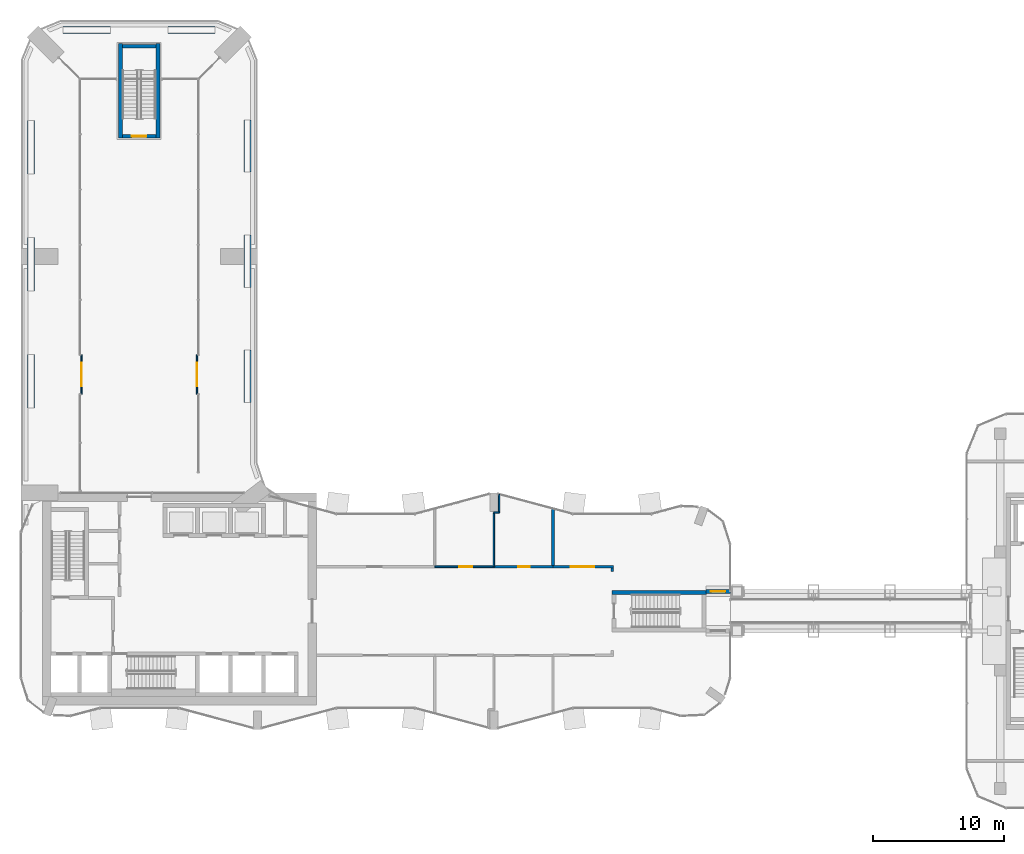
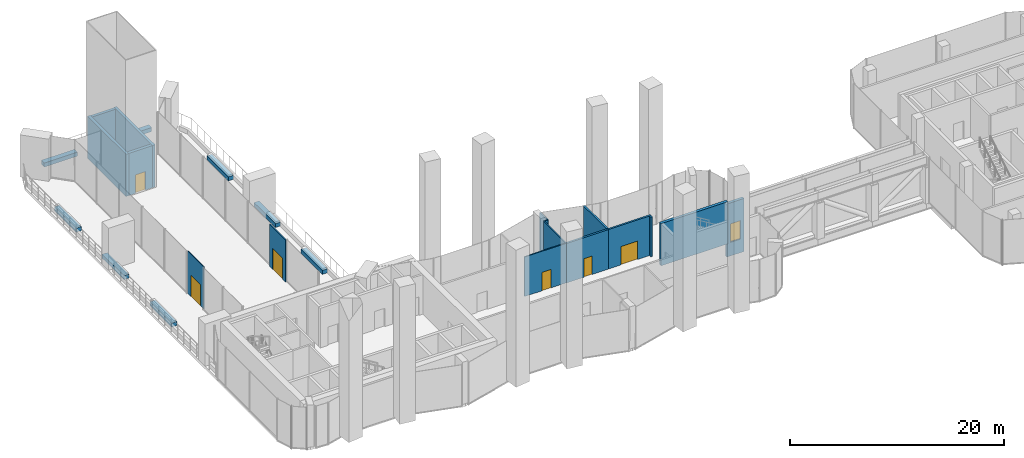
# One storey, part 17 of 23: 24 walls, 7 doors, 7 openings.
"""IFC4 building model written with IfcOpenShell, lengths in metres."""

from ifc_helpers import new_model, si_unit, direction, frame, frame_2d, origin, place, context, subcontext, project, spatial, rectangle, extrude, material, layer, layer_set, type_object, element, fill, save


model = new_model("IFC4")

# Units and contexts
model_context = context("Model", 3, precision=1e-05, world=origin(), true_north=direction((0.0, 1.0)))
body_context = subcontext(model_context, "Body", "Model", "MODEL_VIEW")
ifc_project = project(units=[si_unit("LENGTHUNIT", "METRE"), si_unit("AREAUNIT", "SQUARE_METRE"), si_unit("VOLUMEUNIT", "CUBIC_METRE"), si_unit("PLANEANGLEUNIT", "RADIAN"), si_unit("MASSUNIT", "GRAM", prefix="KILO")], contexts=[model_context])

# Site, building, storey
site_placement = place(None, origin())
site = spatial("IfcSite", under=ifc_project, at=site_placement, CompositionType="ELEMENT")
building_placement = place(site_placement, origin())
building = spatial("IfcBuilding", under=site, at=building_placement, Name="Plateau Cross Towers", CompositionType="ELEMENT")
storey_placement = place(building_placement, frame((0.0, 0.0, 123.800048828125)))
storey = spatial("IfcBuildingStorey", under=building, at=storey_placement, Name="L32", CompositionType="ELEMENT", Elevation=123.800048828125)

# Wall, opening, door
ifc_material_1 = material(Name="Concrete C60/75", Category="concrete")
ifc_layer_1 = layer(ifc_material_1, 0.300048828125)
ifc_layer_set_1 = layer_set([ifc_layer_1], Name="Concrete C60/75")
wall_type_1 = type_object("IfcWallType", Name="Bridge stub wall 300", PredefinedType="SHEAR", material=ifc_layer_set_1)
wall_1_placement = place(storey_placement, frame((52.14990234375, 10.5, -1.550048828125), z_axis=(0.0, 0.0, 1.0), x_axis=(1.0, 0.0, 0.0)))
wall_1 = element("IfcWall", 1, at=wall_1_placement, inside=storey, type_object=wall_type_1, Name="A-end-E-bridge-N@L32", PredefinedType="SHEAR", context=body_context, shape_type="SweptSolid", body=[
    extrude(rectangle(XDim=1.85009765625, YDim=0.300048828125, at=frame_2d((0.925048828125, 0.0))), origin(), (0.0, 0.0, 1.0), 6.050048828125),
])
opening_1_placement = place(wall_1_placement, frame((0.375, 0.0, 1.550048828125)))
opening_1 = element("IfcOpeningElement", 2, at=opening_1_placement, cuts=wall_1, Name="Opening 32-F2", PredefinedType="OPENING", context=body_context, shape_type="SweptSolid", body=[
    extrude(rectangle(XDim=1.10009765625, YDim=2.10009765625, at=frame_2d((0.550048828125, 1.050048828125))), frame((0.0, 0.159912109375, 0.0), z_axis=(0.0, -1.0, 0.0), x_axis=(1.0, 0.0, 0.0)), (0.0, 0.0, 1.0), 0.320068359375),
])
ifc_material_2 = material(Name="Steel, fire-resisting leaf", Category="steel")
door_type_1 = type_object("IfcDoorType", Name="Link lounge fire door 1100", OperationType="NOTDEFINED", PredefinedType="DOOR", material=ifc_material_2)
door_1_placement = place(opening_1_placement, origin())
door_1 = element("IfcDoor", 3, at=door_1_placement, inside=storey, type_object=door_type_1, Name="Door 32-F2", OperationType="SINGLE_SWING_LEFT", OverallHeight=2.10009765625, OverallWidth=1.10009765625, PredefinedType="DOOR", context=body_context, shape_type="SweptSolid", body=[
    extrude(rectangle(XDim=1.10009765625, YDim=2.10009765625, at=frame_2d((0.550048828125, 1.050048828125))), frame((0.0, 0.02490234375, 0.0), z_axis=(0.0, -1.0, 0.0), x_axis=(1.0, 0.0, 0.0)), (0.0, 0.0, 1.0), 0.050048828125),
])
fill(opening_1, door_1)

# Walls
ifc_material_3 = material(Name="Concrete C30/37", Category="concrete")
ifc_layer_2 = layer(ifc_material_3, 0.550048828125)
ifc_layer_set_2 = layer_set([ifc_layer_2], Name="Concrete C30/37")
wall_type_2 = type_object("IfcWallType", Name="Planter upstand 550", PredefinedType="STANDARD", material=ifc_layer_set_2)
wall_2_placement = place(storey_placement, frame((0.765380859375, 24.46142578125, 0.0), z_axis=(0.0, 0.0, 1.0), x_axis=(0.0, 1.0, 0.0)))
element("IfcWall", 4, at=wall_2_placement, inside=storey, type_object=wall_type_2, Name="Planter 1", PredefinedType="STANDARD", context=body_context, shape_type="SweptSolid", body=[
    extrude(rectangle(XDim=4.053955078125, YDim=0.550048828125, at=frame_2d((2.02685546875, 0.0))), origin(), (0.0, 0.0, 1.0), 0.449951171875),
])
for number, where, z_axis, x_axis, name in (
    (5, (0.76513671875, 33.36962890625, 0.0), (0.0, 0.0, 1.0), (0.0, 1.0, 0.0), "Planter 2"),
    (6, (0.76513671875, 42.27783203125, 0.0), (0.0, 0.0, 1.0), (0.0, 1.0, 0.0), "Planter 3"),
):
    element("IfcWall", number, at=place(storey_placement, frame(where, z_axis=z_axis, x_axis=x_axis)), inside=storey, type_object=wall_type_2, Name=name, PredefinedType="STANDARD", context=body_context, shape_type="SweptSolid", body=[
        extrude(rectangle(XDim=4.05419921875, YDim=0.550048828125, at=frame_2d((2.027099609375, 0.0))), origin(), (0.0, 0.0, 1.0), 0.449951171875),
    ])
for number, where, z_axis, x_axis, name in (
    (7, (3.2138671875, 53.235107421875, 0.0), (0.0, 0.0, 1.0), (1.0, 0.0, 0.0), "Planter 4"),
    (8, (11.1953125, 53.235107421875, 0.0), (0.0, 0.0, 1.0), (1.0, 0.0, 0.0), "Planter 5"),
):
    element("IfcWall", number, at=place(storey_placement, frame(where, z_axis=z_axis, x_axis=x_axis)), inside=storey, type_object=wall_type_2, Name=name, PredefinedType="STANDARD", context=body_context, shape_type="SweptSolid", body=[
        extrude(rectangle(XDim=3.5908203125, YDim=0.550048828125, at=frame_2d((1.79541015625, 0.0))), origin(), (0.0, 0.0, 1.0), 0.449951171875),
    ])
for number, where, z_axis, x_axis, name in (
    (9, (17.235107421875, 46.401123046875, 0.0), (0.0, 0.0, 1.0), (0.0, -1.0, 0.0), "Planter 6"),
    (10, (17.235107421875, 37.630859375, 0.0), (0.0, 0.0, 1.0), (0.0, -1.0, 0.0), "Planter 7"),
    (11, (17.235107421875, 28.86083984375, 0.0), (0.0, 0.0, 1.0), (0.0, -1.0, 0.0), "Planter 8"),
):
    element("IfcWall", number, at=place(storey_placement, frame(where, z_axis=z_axis, x_axis=x_axis)), inside=storey, type_object=wall_type_2, Name=name, PredefinedType="STANDARD", context=body_context, shape_type="SweptSolid", body=[
        extrude(rectangle(XDim=3.985107421875, YDim=0.550048828125, at=frame_2d((1.99267578125, 0.0))), origin(), (0.0, 0.0, 1.0), 0.449951171875),
    ])

# Wall, opening, door
ifc_material_4 = material(Name="Gypsum board on steel studs", Category="steel")
ifc_layer_3 = layer(ifc_material_4, 0.199951171875)
ifc_layer_set_3 = layer_set([ifc_layer_3], Name="Gypsum board on steel studs")
wall_type_3 = type_object("IfcWallType", Name="Podium partition 200", PredefinedType="PARTITIONING", material=ifc_layer_set_3)
wall_3_placement = place(storey_placement, frame((40.5, 12.375, 0.0), z_axis=(0.0, 0.0, 1.0), x_axis=(1.0, 0.0, 0.0)))
wall_3 = element("IfcWall", 12, at=wall_3_placement, inside=storey, type_object=wall_type_3, Name="Partition wall", PredefinedType="PARTITIONING", context=body_context, shape_type="SweptSolid", body=[
    extrude(rectangle(XDim=4.60009765625, YDim=0.199951171875, at=frame_2d((2.300048828125, 0.0))), origin(), (0.0, 0.0, 1.0), 4.5),
])
opening_2_placement = place(wall_3_placement, frame((1.35009765625, 0.0, 0.0)))
opening_2 = element("IfcOpeningElement", 13, at=opening_2_placement, cuts=wall_3, Name="Opening 32-07", PredefinedType="OPENING", context=body_context, shape_type="SweptSolid", body=[
    extrude(rectangle(XDim=1.800048828125, YDim=2.10009765625, at=frame_2d((0.89990234375, 1.050048828125))), frame((0.0, 0.10986328125, 0.0), z_axis=(0.0, -1.0, 0.0), x_axis=(1.0, 0.0, 0.0)), (0.0, 0.0, 1.0), 0.219970703125),
])
ifc_material_5 = material(Name="Aluminium frame, toughened glass", Category="aluminium")
door_type_2 = type_object("IfcDoorType", Name="Podium door pair 1800", OperationType="NOTDEFINED", PredefinedType="DOOR", material=ifc_material_5)
door_2_placement = place(opening_2_placement, origin())
door_2 = element("IfcDoor", 14, at=door_2_placement, inside=storey, type_object=door_type_2, Name="Door 32-07", OperationType="DOUBLE_DOOR_SINGLE_SWING", OverallHeight=2.10009765625, OverallWidth=1.800048828125, PredefinedType="DOOR", context=body_context, shape_type="SweptSolid", body=[
    extrude(rectangle(XDim=1.800048828125, YDim=2.10009765625, at=frame_2d((0.89990234375, 1.050048828125))), frame((0.0, 0.02490234375, 0.0), z_axis=(0.0, -1.0, 0.0), x_axis=(1.0, 0.0, 0.0)), (0.0, 0.0, 1.0), 0.050048828125),
])
fill(opening_2, door_2)

# Wall
wall_4_placement = place(storey_placement, frame((45.0, 12.27490234375, 0.0), z_axis=(0.0, 0.0, 1.0), x_axis=(0.0, -1.0, 0.0)))
element("IfcWall", 15, at=wall_4_placement, inside=storey, type_object=wall_type_3, Name="Partition wall", PredefinedType="PARTITIONING", context=body_context, shape_type="SweptSolid", body=[
    extrude(rectangle(XDim=0.27490234375, YDim=0.199951171875, at=frame_2d((0.137451171875, 0.0))), origin(), (0.0, 0.0, 1.0), 4.5),
])

# Wall, opening, door
wall_5_placement = place(storey_placement, frame((36.0, 12.375, 0.0), z_axis=(0.0, 0.0, 1.0), x_axis=(1.0, 0.0, 0.0)))
wall_5 = element("IfcWall", 16, at=wall_5_placement, inside=storey, type_object=wall_type_3, Name="Partition wall", PredefinedType="PARTITIONING", context=body_context, shape_type="SweptSolid", body=[
    extrude(rectangle(XDim=4.5, YDim=0.199951171875, at=frame_2d((2.25, 0.0))), origin(), (0.0, 0.0, 1.0), 4.5),
])
opening_3_placement = place(wall_5_placement, frame((1.85009765625, 0.0, 0.0)))
opening_3 = element("IfcOpeningElement", 17, at=opening_3_placement, cuts=wall_5, Name="Opening 32-05", PredefinedType="OPENING", context=body_context, shape_type="SweptSolid", body=[
    extrude(rectangle(XDim=0.89990234375, YDim=2.10009765625, at=frame_2d((0.449951171875, 1.050048828125))), frame((0.0, 0.10986328125, 0.0), z_axis=(0.0, -1.0, 0.0), x_axis=(1.0, 0.0, 0.0)), (0.0, 0.0, 1.0), 0.219970703125),
])
ifc_material_6 = material(Name="Timber leaf", Category="wood")
door_type_3 = type_object("IfcDoorType", Name="Podium room door 900", OperationType="NOTDEFINED", PredefinedType="DOOR", material=ifc_material_6)
door_3_placement = place(opening_3_placement, origin())
door_3 = element("IfcDoor", 18, at=door_3_placement, inside=storey, type_object=door_type_3, Name="Door 32-05", OperationType="SINGLE_SWING_LEFT", OverallHeight=2.10009765625, OverallWidth=0.89990234375, PredefinedType="DOOR", context=body_context, shape_type="SweptSolid", body=[
    extrude(rectangle(XDim=0.89990234375, YDim=2.10009765625, at=frame_2d((0.449951171875, 1.050048828125))), frame((0.0, 0.02490234375, 0.0), z_axis=(0.0, -1.0, 0.0), x_axis=(1.0, 0.0, 0.0)), (0.0, 0.0, 1.0), 0.050048828125),
])
fill(opening_3, door_3)

# Walls
wall_6_placement = place(storey_placement, frame((40.5, 16.794921875, 0.0), z_axis=(0.0, 0.0, 1.0), x_axis=(0.0, -1.0, 0.0)))
element("IfcWall", 19, at=wall_6_placement, inside=storey, type_object=wall_type_3, Name="Partition wall", PredefinedType="PARTITIONING", context=body_context, shape_type="SweptSolid", body=[
    extrude(rectangle(XDim=4.31982421875, YDim=0.199951171875, at=frame_2d((2.159912109375, 0.0))), origin(), (0.0, 0.0, 1.0), 4.5),
])
ifc_material_7 = material(Name="Moisture-resistant board on steel studs, tiled one side", Category="steel")
ifc_layer_4 = layer(ifc_material_7, 0.1201171875)
ifc_layer_set_4 = layer_set([ifc_layer_4], Name="Moisture-resistant board on steel studs, tiled one side")
wall_type_4 = type_object("IfcWallType", Name="Sanitary partition 120", PredefinedType="PARTITIONING", material=ifc_layer_set_4)
wall_7_placement = place(storey_placement, frame((36.39990234375, 17.89306640625, 0.0), z_axis=(0.0, 0.0, 1.0), x_axis=(0.0, -1.0, 0.0)))
element("IfcWall", 20, at=wall_7_placement, inside=storey, type_object=wall_type_4, Name="Partition wall", PredefinedType="PARTITIONING", context=body_context, shape_type="SweptSolid", body=[
    extrude(rectangle(XDim=1.39306640625, YDim=0.1201171875, at=frame_2d((0.696533203125, 0.0))), origin(), (0.0, 0.0, 1.0), 4.5),
])
wall_8_placement = place(storey_placement, frame((36.39990234375, 16.5, 0.0), z_axis=(0.0, 0.0, 1.0), x_axis=(-1.0, 0.0, 0.0)))
element("IfcWall", 21, at=wall_8_placement, inside=storey, type_object=wall_type_4, Name="Partition wall", PredefinedType="PARTITIONING", context=body_context, shape_type="SweptSolid", body=[
    extrude(rectangle(XDim=0.39990234375, YDim=0.1201171875, at=frame_2d((0.199951171875, 0.0))), origin(), (0.0, 0.0, 1.0), 4.5),
])
wall_9_placement = place(storey_placement, frame((36.0, 16.5, 0.0), z_axis=(0.0, 0.0, 1.0), x_axis=(0.0, -1.0, 0.0)))
element("IfcWall", 22, at=wall_9_placement, inside=storey, type_object=wall_type_4, Name="Partition wall", PredefinedType="PARTITIONING", context=body_context, shape_type="SweptSolid", body=[
    extrude(rectangle(XDim=4.125, YDim=0.1201171875, at=frame_2d((2.0625, 0.0))), origin(), (0.0, 0.0, 1.0), 4.5),
])

# Wall, opening, door
wall_10_placement = place(storey_placement, frame((31.5, 12.375, 0.0), z_axis=(0.0, 0.0, 1.0), x_axis=(1.0, 0.0, 0.0)))
wall_10 = element("IfcWall", 23, at=wall_10_placement, inside=storey, type_object=wall_type_4, Name="Partition wall", PredefinedType="PARTITIONING", context=body_context, shape_type="SweptSolid", body=[
    extrude(rectangle(XDim=4.5, YDim=0.1201171875, at=frame_2d((2.25, 0.0))), origin(), (0.0, 0.0, 1.0), 4.5),
])
opening_4_placement = place(wall_10_placement, frame((1.85009765625, 0.0, 0.0)))
opening_4 = element("IfcOpeningElement", 24, at=opening_4_placement, cuts=wall_10, Name="Opening 32-04", PredefinedType="OPENING", context=body_context, shape_type="SweptSolid", body=[
    extrude(rectangle(XDim=1.0, YDim=2.10009765625, at=frame_2d((0.5, 1.050048828125))), frame((0.0, 0.070068359375, 0.0), z_axis=(0.0, -1.0, 0.0), x_axis=(1.0, 0.0, 0.0)), (0.0, 0.0, 1.0), 0.14013671875),
])
door_type_4 = type_object("IfcDoorType", Name="Podium clinic door 1000", OperationType="NOTDEFINED", PredefinedType="DOOR", material=ifc_material_6)
door_4_placement = place(opening_4_placement, origin())
door_4 = element("IfcDoor", 25, at=door_4_placement, inside=storey, type_object=door_type_4, Name="Door 32-04", OperationType="SINGLE_SWING_LEFT", OverallHeight=2.10009765625, OverallWidth=1.0, PredefinedType="DOOR", context=body_context, shape_type="SweptSolid", body=[
    extrude(rectangle(XDim=1.0, YDim=2.10009765625, at=frame_2d((0.5, 1.050048828125))), frame((0.0, 0.02490234375, 0.0), z_axis=(0.0, -1.0, 0.0), x_axis=(1.0, 0.0, 0.0)), (0.0, 0.0, 1.0), 0.050048828125),
])
fill(opening_4, door_4)

ifc_material_8 = material(Name="Aluminium framed glazing", Category="aluminium")
ifc_layer_5 = layer(ifc_material_8, 0.10009765625)
ifc_layer_set_5 = layer_set([ifc_layer_5], Name="Aluminium framed glazing")
wall_type_5 = type_object("IfcWallType", Name="Sky garden door bay wall 100", PredefinedType="STANDARD", material=ifc_layer_set_5)
wall_11_placement = place(storey_placement, frame((13.39990234375, 28.5, 0.0), z_axis=(0.0, 0.0, 1.0), x_axis=(0.0, -1.0, 0.0)))
wall_11 = element("IfcWall", 26, at=wall_11_placement, inside=storey, type_object=wall_type_5, Name="Sky garden door bay wall 1", PredefinedType="STANDARD", context=body_context, shape_type="SweptSolid", body=[
    extrude(rectangle(XDim=3.0, YDim=0.10009765625, at=frame_2d((1.5, 0.0))), origin(), (0.0, 0.0, 1.0), 4.800048828125),
])
opening_5_placement = place(wall_11_placement, frame((0.60009765625, 0.0, 0.0)))
opening_5 = element("IfcOpeningElement", 27, at=opening_5_placement, cuts=wall_11, Name="Opening XD1", PredefinedType="OPENING", context=body_context, shape_type="SweptSolid", body=[
    extrude(rectangle(XDim=1.800048828125, YDim=2.39990234375, at=frame_2d((0.89990234375, 1.199951171875))), frame((0.0, 0.06005859375, 0.0), z_axis=(0.0, -1.0, 0.0), x_axis=(1.0, 0.0, 0.0)), (0.0, 0.0, 1.0), 0.1201171875),
])
door_type_5 = type_object("IfcDoorType", Name="Terrace door double leaf 1800x2400", OperationType="DOUBLE_DOOR_SINGLE_SWING", PredefinedType="DOOR", material=ifc_material_8)
door_5_placement = place(opening_5_placement, origin())
door_5 = element("IfcDoor", 28, at=door_5_placement, inside=storey, type_object=door_type_5, Name="Sky garden door 1", OperationType="SINGLE_SWING_LEFT", OverallHeight=2.39990234375, OverallWidth=1.800048828125, PredefinedType="DOOR", context=body_context, shape_type="SweptSolid", body=[
    extrude(rectangle(XDim=1.800048828125, YDim=2.39990234375, at=frame_2d((0.89990234375, 1.199951171875))), frame((0.0, 0.02490234375, 0.0), z_axis=(0.0, -1.0, 0.0), x_axis=(1.0, 0.0, 0.0)), (0.0, 0.0, 1.0), 0.050048828125),
])
fill(opening_5, door_5)

wall_12_placement = place(storey_placement, frame((4.60009765625, 25.5, 0.0), z_axis=(0.0, 0.0, 1.0), x_axis=(0.0, 1.0, 0.0)))
wall_12 = element("IfcWall", 29, at=wall_12_placement, inside=storey, type_object=wall_type_5, Name="Sky garden door bay wall 2", PredefinedType="STANDARD", context=body_context, shape_type="SweptSolid", body=[
    extrude(rectangle(XDim=3.0, YDim=0.10009765625, at=frame_2d((1.5, 0.0))), origin(), (0.0, 0.0, 1.0), 4.800048828125),
])
opening_6_placement = place(wall_12_placement, frame((0.60009765625, 0.0, 0.0)))
opening_6 = element("IfcOpeningElement", 30, at=opening_6_placement, cuts=wall_12, Name="Opening XD1", PredefinedType="OPENING", context=body_context, shape_type="SweptSolid", body=[
    extrude(rectangle(XDim=1.800048828125, YDim=2.39990234375, at=frame_2d((0.89990234375, 1.199951171875))), frame((0.0, 0.06005859375, 0.0), z_axis=(0.0, -1.0, 0.0), x_axis=(1.0, 0.0, 0.0)), (0.0, 0.0, 1.0), 0.1201171875),
])
door_6_placement = place(opening_6_placement, origin())
door_6 = element("IfcDoor", 31, at=door_6_placement, inside=storey, type_object=door_type_5, Name="Sky garden door 2", OperationType="SINGLE_SWING_LEFT", OverallHeight=2.39990234375, OverallWidth=1.800048828125, PredefinedType="DOOR", context=body_context, shape_type="SweptSolid", body=[
    extrude(rectangle(XDim=1.800048828125, YDim=2.39990234375, at=frame_2d((0.89990234375, 1.199951171875))), frame((0.0, 0.02490234375, 0.0), z_axis=(0.0, -1.0, 0.0), x_axis=(1.0, 0.0, 0.0)), (0.0, 0.0, 1.0), 0.050048828125),
])
fill(opening_6, door_6)

# Wall
ifc_layer_6 = layer(ifc_material_1, 0.300048828125)
ifc_layer_set_6 = layer_set([ifc_layer_6], Name="Concrete C60/75")
wall_type_6 = type_object("IfcWallType", Name="Stair tower wall 300", PredefinedType="SHEAR", material=ifc_layer_set_6)
wall_13_placement = place(storey_placement, frame((45.0, 10.425048828125, 0.0), z_axis=(0.0, 0.0, 1.0), x_axis=(1.0, 0.0, 0.0)))
element("IfcWall", 32, at=wall_13_placement, inside=storey, type_object=wall_type_6, Name="A-end-E-N@L32", PredefinedType="SHEAR", context=body_context, shape_type="SweptSolid", body=[
    extrude(rectangle(XDim=7.199951171875, YDim=0.300048828125, at=frame_2d((3.60009765625, 0.0))), origin(), (0.0, 0.0, 1.0), 4.800048828125),
])

# Wall, opening, door
wall_14_placement = place(storey_placement, frame((7.72509765625, 45.14990234375, 0.0), z_axis=(0.0, 0.0, 1.0), x_axis=(1.0, 0.0, 0.0)))
wall_14 = element("IfcWall", 33, at=wall_14_placement, inside=storey, type_object=wall_type_6, Name="A-end-N-S@L32", PredefinedType="SHEAR", context=body_context, shape_type="SweptSolid", body=[
    extrude(rectangle(XDim=2.5498046875, YDim=0.300048828125, at=frame_2d((1.27490234375, 0.0))), origin(), (0.0, 0.0, 1.0), 4.800048828125),
])
opening_7_placement = place(wall_14_placement, frame((0.72509765625, 0.0, 0.0)))
opening_7 = element("IfcOpeningElement", 34, at=opening_7_placement, cuts=wall_14, Name="Opening SD", PredefinedType="OPENING", context=body_context, shape_type="SweptSolid", body=[
    extrude(rectangle(XDim=1.10009765625, YDim=2.10009765625, at=frame_2d((0.550048828125, 1.050048828125))), frame((0.0, 0.159912109375, 0.0), z_axis=(0.0, -1.0, 0.0), x_axis=(1.0, 0.0, 0.0)), (0.0, 0.0, 1.0), 0.320068359375),
])
door_type_6 = type_object("IfcDoorType", Name="Stair door 1100", OperationType="NOTDEFINED", PredefinedType="DOOR", material=ifc_material_2)
door_7_placement = place(opening_7_placement, origin())
door_7 = element("IfcDoor", 35, at=door_7_placement, inside=storey, type_object=door_type_6, Name="Stair door SD", OperationType="SINGLE_SWING_LEFT", OverallHeight=2.10009765625, OverallWidth=1.10009765625, PredefinedType="DOOR", context=body_context, shape_type="SweptSolid", body=[
    extrude(rectangle(XDim=1.10009765625, YDim=2.10009765625, at=frame_2d((0.550048828125, 1.050048828125))), frame((0.0, 0.02490234375, 0.0), z_axis=(0.0, -1.0, 0.0), x_axis=(1.0, 0.0, 0.0)), (0.0, 0.0, 1.0), 0.050048828125),
])
fill(opening_7, door_7)

# Walls
wall_15_placement = place(storey_placement, frame((7.72509765625, 52.0, 0.0), z_axis=(0.0, 0.0, 1.0), x_axis=(1.0, 0.0, 0.0)))
element("IfcWall", 36, at=wall_15_placement, inside=storey, type_object=wall_type_6, Name="A-end-N-N@L32", PredefinedType="SHEAR", context=body_context, shape_type="SweptSolid", body=[
    extrude(rectangle(XDim=2.5498046875, YDim=0.300048828125, at=frame_2d((1.27490234375, 0.0))), origin(), (0.0, 0.0, 1.0), 4.800048828125),
])
for number, where, z_axis, x_axis, name in (
    (37, (7.574951171875, 45.0, 0.0), (0.0, 0.0, 1.0), (0.0, 1.0, 0.0), "A-end-N-W@L32"),
    (38, (10.425048828125, 45.0, 0.0), (0.0, 0.0, 1.0), (0.0, 1.0, 0.0), "A-end-N-E@L32"),
):
    element("IfcWall", number, at=place(storey_placement, frame(where, z_axis=z_axis, x_axis=x_axis)), inside=storey, type_object=wall_type_6, Name=name, PredefinedType="SHEAR", context=body_context, shape_type="SweptSolid", body=[
        extrude(rectangle(XDim=7.199951171875, YDim=0.300048828125, at=frame_2d((3.60009765625, 0.0))), origin(), (0.0, 0.0, 1.0), 4.800048828125),
    ])

save(model, "model.ifc")
